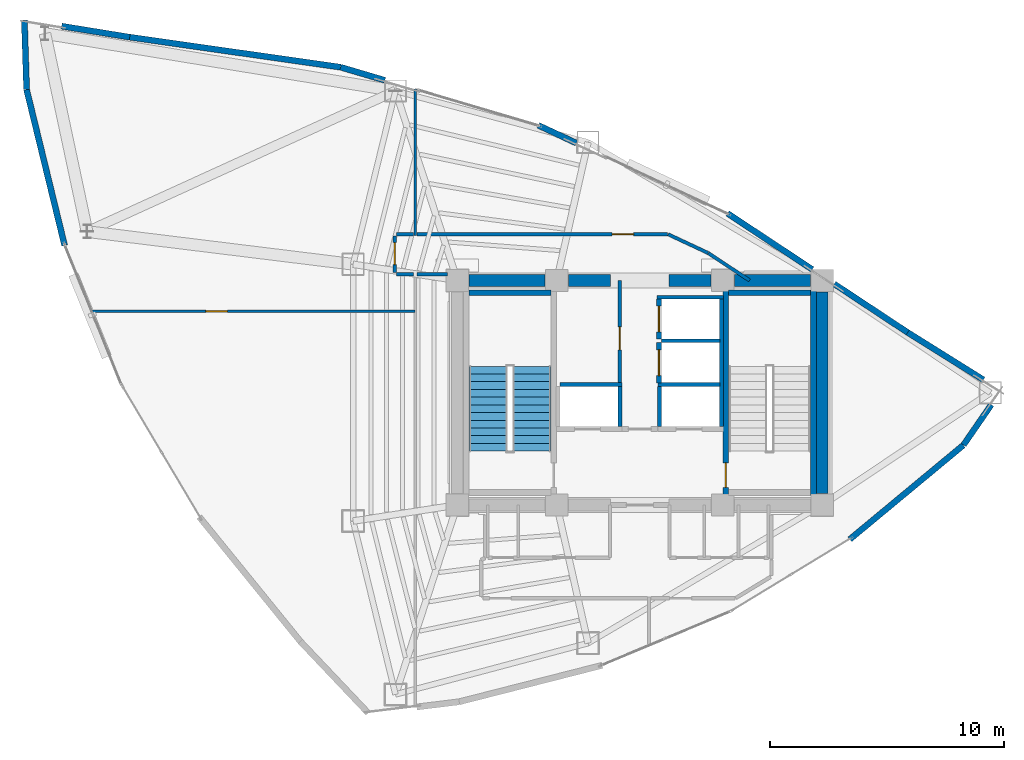
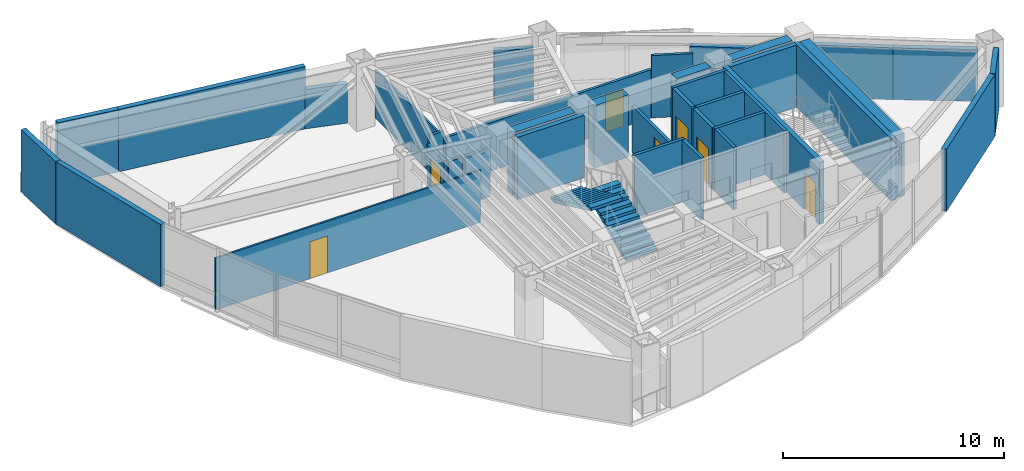
# One storey, part 13 of 16: 39 walls, 7 doors, 2 stair flights, 7 openings, 1 element without a shape of its own.
"""IFC4 building model written with IfcOpenShell, lengths in metres."""

from ifc_helpers import new_model, si_unit, direction, frame, frame_2d, origin, place, context, subcontext, project, spatial, polyline, rectangle, outline, extrude, material, layer, layer_set, type_object, element, fill, aggregate, save


model = new_model("IFC4")

# Units and contexts
model_context = context("Model", 3, precision=1e-05, world=origin(), true_north=direction((0.0, 1.0)))
body_context = subcontext(model_context, "Body", "Model", "MODEL_VIEW")
ifc_project = project(units=[si_unit("LENGTHUNIT", "METRE"), si_unit("AREAUNIT", "SQUARE_METRE"), si_unit("VOLUMEUNIT", "CUBIC_METRE"), si_unit("PLANEANGLEUNIT", "RADIAN"), si_unit("MASSUNIT", "GRAM", prefix="KILO")], contexts=[model_context])

# Site, building, storey
site_placement = place(None, origin())
site = spatial("IfcSite", under=ifc_project, at=site_placement, CompositionType="ELEMENT")
building_placement = place(site_placement, origin())
building = spatial("IfcBuilding", under=site, at=building_placement, Name="Menara Vayukalpa", CompositionType="ELEMENT")
storey_placement = place(building_placement, frame((0.0, 0.0, 202.679931640625)))
storey = spatial("IfcBuildingStorey", under=building, at=storey_placement, Name="L51", CompositionType="ELEMENT", Elevation=202.679931640625)

# Walls
ifc_material_1 = material(Name="Concrete C60/75", Category="concrete")
ifc_layer_1 = layer(ifc_material_1, 0.5)
ifc_layer_set_1 = layer_set([ifc_layer_1], Name="Concrete C60/75")
wall_type_1 = type_object("IfcWallType", Name="WAL-CW500", PredefinedType="SHEAR", material=ifc_layer_set_1)
wall_1_placement = place(storey_placement, frame((18.294921875, 26.800048828125, 0.0), z_axis=(0.0, 0.0, 1.0), x_axis=(1.0, 0.0, 0.0)))
element("IfcWall", 1, at=wall_1_placement, inside=storey, type_object=wall_type_1, Name="L51 Buttressed Core Shear Wall CWN1", PredefinedType="SHEAR", context=body_context, shape_type="SweptSolid", body=[
    extrude(rectangle(XDim=3.260009765625, YDim=0.5, at=frame_2d((1.6298828125, 0.0))), origin(), (0.0, 0.0, 1.0), 3.440185546875),
])
wall_2_placement = place(storey_placement, frame((22.544921875, 26.800048828125, 0.0), z_axis=(0.0, 0.0, 1.0), x_axis=(1.0, 0.0, 0.0)))
element("IfcWall", 2, at=wall_2_placement, inside=storey, type_object=wall_type_1, Name="L51 Buttressed Core Shear Wall CWN2", PredefinedType="SHEAR", context=body_context, shape_type="SweptSolid", body=[
    extrude(rectangle(XDim=1.80517578125, YDim=0.5, at=frame_2d((0.902587890625, 0.0))), origin(), (0.0, 0.0, 1.0), 3.440185546875),
])
wall_3_placement = place(storey_placement, frame((26.85009765625, 26.800048828125, 0.0), z_axis=(0.0, 0.0, 1.0), x_axis=(1.0, 0.0, 0.0)))
element("IfcWall", 3, at=wall_3_placement, inside=storey, type_object=wall_type_1, Name="L51 Buttressed Core Shear Wall CWN3", PredefinedType="SHEAR", context=body_context, shape_type="SweptSolid", body=[
    extrude(rectangle(XDim=1.804931640625, YDim=0.5, at=frame_2d((0.90234375, 0.0))), origin(), (0.0, 0.0, 1.0), 3.440185546875),
])
wall_4_placement = place(storey_placement, frame((29.64501953125, 26.800048828125, 0.0), z_axis=(0.0, 0.0, 1.0), x_axis=(1.0, 0.0, 0.0)))
element("IfcWall", 4, at=wall_4_placement, inside=storey, type_object=wall_type_1, Name="L51 Buttressed Core Shear Wall CWN4", PredefinedType="SHEAR", context=body_context, shape_type="SweptSolid", body=[
    extrude(rectangle(XDim=3.260009765625, YDim=0.5, at=frame_2d((1.6298828125, 0.0))), origin(), (0.0, 0.0, 1.0), 3.440185546875),
])
wall_5_placement = place(storey_placement, frame((33.39990234375, 17.695068359375, 0.0), z_axis=(0.0, 0.0, 1.0), x_axis=(0.0, 1.0, 0.0)))
element("IfcWall", 5, at=wall_5_placement, inside=storey, type_object=wall_type_1, Name="L51 Buttressed Core Shear Wall CWE1", PredefinedType="SHEAR", context=body_context, shape_type="SweptSolid", body=[
    extrude(rectangle(XDim=8.60986328125, YDim=0.5, at=frame_2d((4.304931640625, 0.0))), origin(), (0.0, 0.0, 1.0), 3.440185546875),
])
ifc_material_2 = material(Name="Insulated Precast Concrete C40/50", Category="concrete")
ifc_layer_2 = layer(ifc_material_2, 0.260009765625)
ifc_layer_set_2 = layer_set([ifc_layer_2], Name="Insulated Precast Concrete C40/50")
wall_type_2 = type_object("IfcWallType", Name="WAL-EXT260", PredefinedType="PARTITIONING", material=ifc_layer_set_2)
wall_6_placement = place(storey_placement, frame((40.629638671875, 21.484619140625, 0.0), z_axis=(0.0, 0.0, 1.0), x_axis=(-0.5675692026, -0.823325695129, 0.0)))
element("IfcWall", 6, at=wall_6_placement, inside=storey, type_object=wall_type_2, Name="L51 Perimeter Terracotta Pier Wall 01", PredefinedType="PARTITIONING", context=body_context, shape_type="SweptSolid", body=[
    extrude(rectangle(XDim=2.090576171875, YDim=0.260009765625, at=frame_2d((1.04541015625, 0.0))), origin(), (0.0, 0.0, 1.0), 3.440185546875),
])
wall_7_placement = place(storey_placement, frame((37.043212890625, 24.581298828125, 0.0), z_axis=(0.0, 0.0, 1.0), x_axis=(0.848238223581, -0.529614875221, 0.0)))
element("IfcWall", 7, at=wall_7_placement, inside=storey, type_object=wall_type_2, Name="L51 Perimeter Terracotta Pier Wall 02", PredefinedType="PARTITIONING", context=body_context, shape_type="SweptSolid", body=[
    extrude(rectangle(XDim=3.828857421875, YDim=0.260009765625, at=frame_2d((1.91455078125, 0.0))), origin(), (0.0, 0.0, 1.0), 2.8701171875),
])
wall_8_placement = place(storey_placement, frame((33.914306640625, 26.6494140625, 0.0), z_axis=(0.0, 0.0, 1.0), x_axis=(0.834259642914, -0.55137178764, 0.0)))
element("IfcWall", 8, at=wall_8_placement, inside=storey, type_object=wall_type_2, Name="L51 Perimeter Terracotta Pier Wall 03", PredefinedType="PARTITIONING", context=body_context, shape_type="SweptSolid", body=[
    extrude(rectangle(XDim=3.7626953125, YDim=0.260009765625, at=frame_2d((1.88134765625, 0.0))), origin(), (0.0, 0.0, 1.0), 2.8701171875),
])
wall_9_placement = place(storey_placement, frame((29.3505859375, 29.665771484375, 0.0), z_axis=(0.0, 0.0, 1.0), x_axis=(0.834275733291, -0.551347441131, 0.0)))
element("IfcWall", 9, at=wall_9_placement, inside=storey, type_object=wall_type_2, Name="L51 Perimeter Terracotta Pier Wall 04", PredefinedType="PARTITIONING", context=body_context, shape_type="SweptSolid", body=[
    extrude(rectangle(XDim=4.34130859375, YDim=0.260009765625, at=frame_2d((2.170654296875, 0.0))), origin(), (0.0, 0.0, 1.0), 2.570068359375),
])
wall_10_placement = place(storey_placement, frame((21.263671875, 33.431396484375, 0.0), z_axis=(0.0, 0.0, 1.0), x_axis=(0.905741333912, -0.423830905011, 0.0)))
element("IfcWall", 10, at=wall_10_placement, inside=storey, type_object=wall_type_2, Name="L51 Perimeter Terracotta Pier Wall 06", PredefinedType="PARTITIONING", context=body_context, shape_type="SweptSolid", body=[
    extrude(rectangle(XDim=1.794921875, YDim=0.260009765625, at=frame_2d((0.8974609375, 0.0))), origin(), (0.0, 0.0, 1.0), 2.8701171875),
])
wall_11_placement = place(storey_placement, frame((12.810546875, 35.9169921875, 0.0), z_axis=(0.0, 0.0, 1.0), x_axis=(0.958874384412, -0.283830785713, 0.0)))
element("IfcWall", 11, at=wall_11_placement, inside=storey, type_object=wall_type_2, Name="L51 Perimeter Terracotta Pier Wall 08", PredefinedType="PARTITIONING", context=body_context, shape_type="SweptSolid", body=[
    extrude(rectangle(XDim=1.968994140625, YDim=0.260009765625, at=frame_2d((0.984375, 0.0))), origin(), (0.0, 0.0, 1.0), 2.170166015625),
])
wall_12_placement = place(storey_placement, frame((3.778564453125, 37.20263671875, 0.0), z_axis=(0.0, 0.0, 1.0), x_axis=(0.990020552325, -0.140923049832, 0.0)))
element("IfcWall", 12, at=wall_12_placement, inside=storey, type_object=wall_type_2, Name="L51 Perimeter Terracotta Pier Wall 09", PredefinedType="PARTITIONING", context=body_context, shape_type="SweptSolid", body=[
    extrude(rectangle(XDim=9.123046875, YDim=0.260009765625, at=frame_2d((4.5615234375, 0.0))), origin(), (0.0, 0.0, 1.0), 3.440185546875),
])
wall_13_placement = place(storey_placement, frame((0.87939453125, 37.67236328125, 0.0), z_axis=(0.0, 0.0, 1.0), x_axis=(0.987124562888, -0.159953422419, 0.0)))
element("IfcWall", 13, at=wall_13_placement, inside=storey, type_object=wall_type_2, Name="L51 Perimeter Terracotta Pier Wall 10", PredefinedType="PARTITIONING", context=body_context, shape_type="SweptSolid", body=[
    extrude(rectangle(XDim=2.948974609375, YDim=0.260009765625, at=frame_2d((1.474609375, 0.0))), origin(), (0.0, 0.0, 1.0), 3.440185546875),
])
wall_14_placement = place(storey_placement, frame((-0.6181640625, 34.962158203125, 0.0), z_axis=(0.0, 0.0, 1.0), x_axis=(-0.031896905061, 0.999491164267, 0.0)))
element("IfcWall", 14, at=wall_14_placement, inside=storey, type_object=wall_type_2, Name="L51 Perimeter Terracotta Pier Wall 11", PredefinedType="PARTITIONING", context=body_context, shape_type="SweptSolid", body=[
    extrude(rectangle(XDim=2.9697265625, YDim=0.260009765625, at=frame_2d((1.48486328125, 0.0))), origin(), (0.0, 0.0, 1.0), 3.440185546875),
])
wall_15_placement = place(storey_placement, frame((1.007080078125, 28.293701171875, 0.0), z_axis=(0.0, 0.0, 1.0), x_axis=(-0.236844738969, 0.971547512797, 0.0)))
element("IfcWall", 15, at=wall_15_placement, inside=storey, type_object=wall_type_2, Name="L51 Perimeter Terracotta Pier Wall 12", PredefinedType="PARTITIONING", context=body_context, shape_type="SweptSolid", body=[
    extrude(rectangle(XDim=6.85888671875, YDim=0.260009765625, at=frame_2d((3.429443359375, 0.0))), origin(), (0.0, 0.0, 1.0), 3.440185546875),
])
wall_16_placement = place(storey_placement, frame((39.43408203125, 19.753662109375, 0.0), z_axis=(0.0, 0.0, 1.0), x_axis=(-0.76976213846, -0.638330831304, 0.0)))
element("IfcWall", 16, at=wall_16_placement, inside=storey, type_object=wall_type_2, Name="L51 Perimeter Terracotta Pier Wall 21", PredefinedType="PARTITIONING", context=body_context, shape_type="SweptSolid", body=[
    extrude(rectangle(XDim=6.302734375, YDim=0.260009765625, at=frame_2d((3.1513671875, 0.0))), origin(), (0.0, 0.0, 1.0), 3.440185546875),
])
ifc_material_3 = material(Name="Lightweight Concrete Blockwork C16/20", Category="masonry")
ifc_layer_3 = layer(ifc_material_3, 0.159912109375)
ifc_layer_set_3 = layer_set([ifc_layer_3], Name="Lightweight Concrete Blockwork C16/20")
wall_type_3 = type_object("IfcWallType", Name="WAL-FR150", PredefinedType="PARTITIONING", material=ifc_layer_set_3)
wall_17_placement = place(storey_placement, frame((24.7548828125, 20.56005859375, 0.0), z_axis=(0.0, 0.0, 1.0), x_axis=(0.0, 1.0, 0.0)))
element("IfcWall", 17, at=wall_17_placement, inside=storey, type_object=wall_type_3, Name="L51 Interior Partition IW-L51-SHW-W1E", PredefinedType="PARTITIONING", context=body_context, shape_type="SweptSolid", body=[
    extrude(rectangle(XDim=1.7099609375, YDim=0.159912109375, at=frame_2d((0.85498046875, 0.0))), origin(), (0.0, 0.0, 1.0), 3.440185546875),
])
wall_18_placement = place(storey_placement, frame((22.179931640625, 22.344970703125, 0.0), z_axis=(0.0, 0.0, 1.0), x_axis=(1.0, 0.0, 0.0)))
element("IfcWall", 18, at=wall_18_placement, inside=storey, type_object=wall_type_3, Name="L51 Interior Partition IW-L51-SHM-W12", PredefinedType="PARTITIONING", context=body_context, shape_type="SweptSolid", body=[
    extrude(rectangle(XDim=2.650146484375, YDim=0.159912109375, at=frame_2d((1.3251953125, 0.0))), origin(), (0.0, 0.0, 1.0), 3.440185546875),
])
wall_19_placement = place(storey_placement, frame((29.094970703125, 20.56005859375, 0.0), z_axis=(0.0, 0.0, 1.0), x_axis=(0.0, 1.0, 0.0)))
element("IfcWall", 19, at=wall_19_placement, inside=storey, type_object=wall_type_3, Name="L51 Interior Partition IW-L51-SHW-EE", PredefinedType="PARTITIONING", context=body_context, shape_type="SweptSolid", body=[
    extrude(rectangle(XDim=5.449951171875, YDim=0.159912109375, at=frame_2d((2.72509765625, 0.0))), origin(), (0.0, 0.0, 1.0), 3.440185546875),
])
wall_20_placement = place(storey_placement, frame((26.445068359375, 20.56005859375, 0.0), z_axis=(0.0, 0.0, 1.0), x_axis=(0.0, 1.0, 0.0)))
element("IfcWall", 20, at=wall_20_placement, inside=storey, type_object=wall_type_3, Name="L51 Interior Partition IW-L51-SHW-E1W", PredefinedType="PARTITIONING", context=body_context, shape_type="SweptSolid", body=[
    extrude(rectangle(XDim=1.7099609375, YDim=0.159912109375, at=frame_2d((0.85498046875, 0.0))), origin(), (0.0, 0.0, 1.0), 3.440185546875),
])
wall_21_placement = place(storey_placement, frame((26.3701171875, 22.344970703125, 0.0), z_axis=(0.0, 0.0, 1.0), x_axis=(1.0, 0.0, 0.0)))
element("IfcWall", 21, at=wall_21_placement, inside=storey, type_object=wall_type_3, Name="L51 Interior Partition IW-L51-SHM-E13", PredefinedType="PARTITIONING", context=body_context, shape_type="SweptSolid", body=[
    extrude(rectangle(XDim=2.64990234375, YDim=0.159912109375, at=frame_2d((1.324951171875, 0.0))), origin(), (0.0, 0.0, 1.0), 3.440185546875),
])
wall_22_placement = place(storey_placement, frame((26.530029296875, 24.215087890625, 0.0), z_axis=(0.0, 0.0, 1.0), x_axis=(1.0, 0.0, 0.0)))
element("IfcWall", 22, at=wall_22_placement, inside=storey, type_object=wall_type_3, Name="L51 Interior Partition IW-L51-SHM-E32", PredefinedType="PARTITIONING", context=body_context, shape_type="SweptSolid", body=[
    extrude(rectangle(XDim=2.489990234375, YDim=0.159912109375, at=frame_2d((1.2451171875, 0.0))), origin(), (0.0, 0.0, 1.0), 3.440185546875),
])
wall_23_placement = place(storey_placement, frame((26.340087890625, 26.0849609375, 0.0), z_axis=(0.0, 0.0, 1.0), x_axis=(1.0, 0.0, 0.0)))
element("IfcWall", 23, at=wall_23_placement, inside=storey, type_object=wall_type_3, Name="L51 Interior Partition IW-L51-SHM-E2N", PredefinedType="PARTITIONING", context=body_context, shape_type="SweptSolid", body=[
    extrude(rectangle(XDim=2.829833984375, YDim=0.159912109375, at=frame_2d((1.4150390625, 0.0))), origin(), (0.0, 0.0, 1.0), 3.440185546875),
])

# Wall, opening, door
wall_24_placement = place(storey_placement, frame((24.739990234375, 22.429931640625, 0.0), z_axis=(0.0, 0.0, 1.0), x_axis=(0.0, 1.0, 0.0)))
wall_24 = element("IfcWall", 24, at=wall_24_placement, inside=storey, type_object=wall_type_3, Name="L51 Interior Partition IW-L51-LV7W", PredefinedType="PARTITIONING", context=body_context, shape_type="SweptSolid", body=[
    extrude(rectangle(XDim=4.3701171875, YDim=0.159912109375, at=frame_2d((2.18505859375, 0.0))), origin(), (0.0, 0.0, 1.0), 2.570068359375),
])
opening_1_placement = place(wall_24_placement, frame((1.39990234375, 0.0, 0.0)))
opening_1 = element("IfcOpeningElement", 25, at=opening_1_placement, cuts=wall_24, Name="Opening ID3", PredefinedType="OPENING", context=body_context, shape_type="SweptSolid", body=[
    extrude(rectangle(XDim=0.97998046875, YDim=2.06005859375, at=frame_2d((0.489990234375, 1.030029296875))), frame((0.0, 0.08984375, 0.0), z_axis=(0.0, -1.0, 0.0), x_axis=(1.0, 0.0, 0.0)), (0.0, 0.0, 1.0), 0.179931640625),
])
ifc_material_4 = material(Name="Fire-Rated Powder-Coated Steel Door", Category="steel")
door_type_1 = type_object("IfcDoorType", Name="DR-FD60", OperationType="NOTDEFINED", PredefinedType="DOOR", material=ifc_material_4)
door_1_placement = place(opening_1_placement, origin())
door_1 = element("IfcDoor", 26, at=door_1_placement, inside=storey, type_object=door_type_1, Name="L51 Interior Door DR-L51-LV7W", OperationType="SINGLE_SWING_RIGHT", OverallHeight=2.06005859375, OverallWidth=0.97998046875, PredefinedType="DOOR", context=body_context, shape_type="SweptSolid", body=[
    extrude(rectangle(XDim=0.97998046875, YDim=2.06005859375, at=frame_2d((0.489990234375, 1.030029296875))), frame((0.0, 0.02490234375, 0.0), z_axis=(0.0, -1.0, 0.0), x_axis=(1.0, 0.0, 0.0)), (0.0, 0.0, 1.0), 0.050048828125),
])
fill(opening_1, door_1)

ifc_material_5 = material(Name="Lightweight Concrete Blockwork C16/20", Category="masonry")
ifc_layer_4 = layer(ifc_material_5, 0.199951171875)
ifc_layer_set_4 = layer_set([ifc_layer_4], Name="Lightweight Concrete Blockwork C16/20")
wall_type_4 = type_object("IfcWallType", Name="WAL-FR200", PredefinedType="PARTITIONING", material=ifc_layer_set_4)
wall_25_placement = place(storey_placement, frame((26.419921875, 22.419921875, 0.0), z_axis=(0.0, 0.0, 1.0), x_axis=(0.0, 1.0, 0.0)))
wall_25 = element("IfcWall", 27, at=wall_25_placement, inside=storey, type_object=wall_type_4, Name="L51 Interior Partition IW-L51-SH-E3", PredefinedType="PARTITIONING", context=body_context, shape_type="SweptSolid", body=[
    extrude(rectangle(XDim=1.719970703125, YDim=0.199951171875, at=frame_2d((0.85986328125, 0.0))), origin(), (0.0, 0.0, 1.0), 3.440185546875),
])
opening_2_placement = place(wall_25_placement, frame((0.31005859375, 0.0, 0.0)))
opening_2 = element("IfcOpeningElement", 28, at=opening_2_placement, cuts=wall_25, Name="Opening LD1", PredefinedType="OPENING", context=body_context, shape_type="SweptSolid", body=[
    extrude(rectangle(XDim=1.10009765625, YDim=2.080078125, at=frame_2d((0.550048828125, 1.0400390625))), frame((0.0, 0.10986328125, 0.0), z_axis=(0.0, -1.0, 0.0), x_axis=(1.0, 0.0, 0.0)), (0.0, 0.0, 1.0), 0.219970703125),
])
ifc_material_6 = material(Name="Brushed Stainless Steel 316 Lift Door", Category="steel")
door_type_2 = type_object("IfcDoorType", Name="DR-LD110", OperationType="NOTDEFINED", PredefinedType="DOOR", material=ifc_material_6)
door_2_placement = place(opening_2_placement, origin())
door_2 = element("IfcDoor", 29, at=door_2_placement, inside=storey, type_object=door_type_2, Name="L51 Interior Door DR-L51-LD-E3", OperationType="DOUBLE_DOOR_SLIDING", OverallHeight=2.080078125, OverallWidth=1.10009765625, PredefinedType="DOOR", context=body_context, shape_type="SweptSolid", body=[
    extrude(rectangle(XDim=1.10009765625, YDim=2.080078125, at=frame_2d((0.550048828125, 1.0400390625))), frame((0.0, 0.02490234375, 0.0), z_axis=(0.0, -1.0, 0.0), x_axis=(1.0, 0.0, 0.0)), (0.0, 0.0, 1.0), 0.050048828125),
])
fill(opening_2, door_2)

wall_26_placement = place(storey_placement, frame((26.419921875, 24.2900390625, 0.0), z_axis=(0.0, 0.0, 1.0), x_axis=(0.0, 1.0, 0.0)))
wall_26 = element("IfcWall", 30, at=wall_26_placement, inside=storey, type_object=wall_type_4, Name="L51 Interior Partition IW-L51-SH-E2", PredefinedType="PARTITIONING", context=body_context, shape_type="SweptSolid", body=[
    extrude(rectangle(XDim=1.719970703125, YDim=0.199951171875, at=frame_2d((0.85986328125, 0.0))), origin(), (0.0, 0.0, 1.0), 3.440185546875),
])
opening_3_placement = place(wall_26_placement, frame((0.31005859375, 0.0, 0.0)))
opening_3 = element("IfcOpeningElement", 31, at=opening_3_placement, cuts=wall_26, Name="Opening LD1", PredefinedType="OPENING", context=body_context, shape_type="SweptSolid", body=[
    extrude(rectangle(XDim=1.10009765625, YDim=2.080078125, at=frame_2d((0.550048828125, 1.0400390625))), frame((0.0, 0.10986328125, 0.0), z_axis=(0.0, -1.0, 0.0), x_axis=(1.0, 0.0, 0.0)), (0.0, 0.0, 1.0), 0.219970703125),
])
door_3_placement = place(opening_3_placement, origin())
door_3 = element("IfcDoor", 32, at=door_3_placement, inside=storey, type_object=door_type_2, Name="L51 Interior Door DR-L51-LD-E2", OperationType="DOUBLE_DOOR_SLIDING", OverallHeight=2.080078125, OverallWidth=1.10009765625, PredefinedType="DOOR", context=body_context, shape_type="SweptSolid", body=[
    extrude(rectangle(XDim=1.10009765625, YDim=2.080078125, at=frame_2d((0.550048828125, 1.0400390625))), frame((0.0, 0.02490234375, 0.0), z_axis=(0.0, -1.0, 0.0), x_axis=(1.0, 0.0, 0.0)), (0.0, 0.0, 1.0), 0.050048828125),
])
fill(opening_3, door_3)

# Wall
ifc_material_7 = material(Name="Glazed Demountable Office Partition", Category="glass")
ifc_layer_5 = layer(ifc_material_7, 0.094970703125)
ifc_layer_set_5 = layer_set([ifc_layer_5], Name="Glazed Demountable Office Partition")
wall_type_5 = type_object("IfcWallType", Name="WAL-PT100", PredefinedType="PARTITIONING", material=ifc_layer_set_5)
wall_27_placement = place(storey_placement, frame((16.0, 28.72998046875, 0.0), z_axis=(0.0, 0.0, 1.0), x_axis=(0.0, 1.0, 0.0)))
element("IfcWall", 33, at=wall_27_placement, inside=storey, type_object=wall_type_5, Name="L51 Interior Partition IW-L51-RDIV02", PredefinedType="PARTITIONING", context=body_context, shape_type="SweptSolid", body=[
    extrude(rectangle(XDim=6.253173828125, YDim=0.094970703125, at=frame_2d((3.12646484375, 0.0))), origin(), (0.0, 0.0, 1.0), 2.670166015625),
])

# Wall, opening, door
wall_28_placement = place(storey_placement, frame((2.123291015625, 25.4794921875, 0.0), z_axis=(0.0, 0.0, 1.0), x_axis=(1.0, 0.0, 0.0)))
wall_28 = element("IfcWall", 34, at=wall_28_placement, inside=storey, type_object=wall_type_5, Name="L51 Interior Partition IW-L51-RDIV04", PredefinedType="PARTITIONING", context=body_context, shape_type="SweptSolid", body=[
    extrude(rectangle(XDim=13.86669921875, YDim=0.094970703125, at=frame_2d((6.933349609375, 0.0))), origin(), (0.0, 0.0, 1.0), 2.8701171875),
])
opening_4_placement = place(wall_28_placement, frame((4.925048828125, 0.0, 0.0)))
opening_4 = element("IfcOpeningElement", 35, at=opening_4_placement, cuts=wall_28, Name="Opening ID6", PredefinedType="OPENING", context=body_context, shape_type="SweptSolid", body=[
    extrude(rectangle(XDim=0.919921875, YDim=2.050048828125, at=frame_2d((0.4599609375, 1.02490234375))), frame((0.0, 0.057373046875, 0.0), z_axis=(0.0, -1.0, 0.0), x_axis=(1.0, 0.0, 0.0)), (0.0, 0.0, 1.0), 0.114990234375),
])
ifc_material_8 = material(Name="Acoustic Hardwood Veneer Timber Door", Category="wood")
door_type_3 = type_object("IfcDoorType", Name="DR-INT92", OperationType="NOTDEFINED", PredefinedType="DOOR", material=ifc_material_8)
door_4_placement = place(opening_4_placement, origin())
door_4 = element("IfcDoor", 36, at=door_4_placement, inside=storey, type_object=door_type_3, Name="L51 Interior Door DR-L51-STE01", OperationType="SINGLE_SWING_RIGHT", OverallHeight=2.050048828125, OverallWidth=0.919921875, PredefinedType="DOOR", context=body_context, shape_type="SweptSolid", body=[
    extrude(rectangle(XDim=0.919921875, YDim=2.050048828125, at=frame_2d((0.4599609375, 1.02490234375))), frame((0.0, 0.02490234375, 0.0), z_axis=(0.0, -1.0, 0.0), x_axis=(1.0, 0.0, 0.0)), (0.0, 0.0, 1.0), 0.050048828125),
])
fill(opening_4, door_4)

# Walls
ifc_material_9 = material(Name="Gypsum Drywall Acoustic Stud Assembly", Category="masonry")
ifc_layer_6 = layer(ifc_material_9, 0.14501953125)
ifc_layer_set_6 = layer_set([ifc_layer_6], Name="Gypsum Drywall Acoustic Stud Assembly")
wall_type_6 = type_object("IfcWallType", Name="WAL-PT150", PredefinedType="PARTITIONING", material=ifc_layer_set_6)
wall_29_placement = place(storey_placement, frame((16.070068359375, 27.06005859375, 0.0), z_axis=(0.0, 0.0, 1.0), x_axis=(1.0, 0.0, 0.0)))
element("IfcWall", 37, at=wall_29_placement, inside=storey, type_object=wall_type_6, Name="L51 Interior Partition IW-L51-CRM02-1", PredefinedType="PARTITIONING", context=body_context, shape_type="SweptSolid", body=[
    extrude(rectangle(XDim=1.309814453125, YDim=0.14501953125, at=frame_2d((0.65478515625, 0.0))), origin(), (0.0, 0.0, 1.0), 2.670166015625),
])
wall_30_placement = place(storey_placement, frame((30.295166015625, 26.800048828125, 0.0), z_axis=(0.0, 0.0, 1.0), x_axis=(-0.834281274053, 0.551339056992, 0.0)))
element("IfcWall", 38, at=wall_30_placement, inside=storey, type_object=wall_type_6, Name="L51 Interior Partition IW-L51-CRM04-1", PredefinedType="PARTITIONING", context=body_context, shape_type="SweptSolid", body=[
    extrude(rectangle(XDim=2.114990234375, YDim=0.14501953125, at=frame_2d((1.0576171875, 0.0))), origin(), (0.0, 0.0, 1.0), 2.570068359375),
])
wall_31_placement = place(storey_placement, frame((28.5205078125, 27.971923828125, 0.0), z_axis=(0.0, 0.0, 1.0), x_axis=(-0.905803144329, 0.423698788909, 0.0)))
element("IfcWall", 39, at=wall_31_placement, inside=storey, type_object=wall_type_6, Name="L51 Interior Partition IW-L51-CRM04-2", PredefinedType="PARTITIONING", context=body_context, shape_type="SweptSolid", body=[
    extrude(rectangle(XDim=1.889404296875, YDim=0.14501953125, at=frame_2d((0.94482421875, 0.0))), origin(), (0.0, 0.0, 1.0), 3.440185546875),
])

# Wall, opening, door
wall_32_placement = place(storey_placement, frame((26.775390625, 28.780029296875, 0.0), z_axis=(0.0, 0.0, 1.0), x_axis=(-1.0, 0.0, 0.0)))
wall_32 = element("IfcWall", 40, at=wall_32_placement, inside=storey, type_object=wall_type_6, Name="L51 Interior Partition IW-L51-CRM04-3", PredefinedType="PARTITIONING", context=body_context, shape_type="SweptSolid", body=[
    extrude(rectangle(XDim=10.705322265625, YDim=0.14501953125, at=frame_2d((5.3525390625, 0.0))), origin(), (0.0, 0.0, 1.0), 2.670166015625),
])
opening_5_placement = place(wall_32_placement, frame((1.43310546875, 0.0, 0.0)))
opening_5 = element("IfcOpeningElement", 41, at=opening_5_placement, cuts=wall_32, Name="Opening ID6", PredefinedType="OPENING", context=body_context, shape_type="SweptSolid", body=[
    extrude(rectangle(XDim=0.919921875, YDim=2.050048828125, at=frame_2d((0.4599609375, 1.02490234375))), frame((0.0, 0.08251953125, 0.0), z_axis=(0.0, -1.0, 0.0), x_axis=(1.0, 0.0, 0.0)), (0.0, 0.0, 1.0), 0.1650390625),
])
door_5_placement = place(opening_5_placement, origin())
door_5 = element("IfcDoor", 42, at=door_5_placement, inside=storey, type_object=door_type_3, Name="L51 Interior Door DR-L51-RM04", OperationType="SINGLE_SWING_RIGHT", OverallHeight=2.050048828125, OverallWidth=0.919921875, PredefinedType="DOOR", context=body_context, shape_type="SweptSolid", body=[
    extrude(rectangle(XDim=0.919921875, YDim=2.050048828125, at=frame_2d((0.4599609375, 1.02490234375))), frame((0.0, 0.02490234375, 0.0), z_axis=(0.0, -1.0, 0.0), x_axis=(1.0, 0.0, 0.0)), (0.0, 0.0, 1.0), 0.050048828125),
])
fill(opening_5, door_5)

# Wall
wall_33_placement = place(storey_placement, frame((15.929931640625, 28.780029296875, 0.0), z_axis=(0.0, 0.0, 1.0), x_axis=(-1.0, 0.0, 0.0)))
element("IfcWall", 43, at=wall_33_placement, inside=storey, type_object=wall_type_6, Name="L51 Interior Partition IW-L51-CRM05-1", PredefinedType="PARTITIONING", context=body_context, shape_type="SweptSolid", body=[
    extrude(rectangle(XDim=0.72998046875, YDim=0.14501953125, at=frame_2d((0.364990234375, 0.0))), origin(), (0.0, 0.0, 1.0), 3.070068359375),
])

# Wall, opening, door
wall_34_placement = place(storey_placement, frame((15.1201171875, 28.699951171875, 0.0), z_axis=(0.0, 0.0, 1.0), x_axis=(0.0, -1.0, 0.0)))
wall_34 = element("IfcWall", 44, at=wall_34_placement, inside=storey, type_object=wall_type_6, Name="L51 Interior Partition IW-L51-CRM05-2", PredefinedType="PARTITIONING", context=body_context, shape_type="SweptSolid", body=[
    extrude(rectangle(XDim=1.56005859375, YDim=0.14501953125, at=frame_2d((0.780029296875, 0.0))), origin(), (0.0, 0.0, 1.0), 2.670166015625),
])
opening_6_placement = place(wall_34_placement, frame((0.280029296875, 0.0, 0.0)))
opening_6 = element("IfcOpeningElement", 45, at=opening_6_placement, cuts=wall_34, Name="Opening ID5", PredefinedType="OPENING", context=body_context, shape_type="SweptSolid", body=[
    extrude(rectangle(XDim=0.949951171875, YDim=2.06005859375, at=frame_2d((0.47509765625, 1.030029296875))), frame((0.0, 0.08251953125, 0.0), z_axis=(0.0, -1.0, 0.0), x_axis=(1.0, 0.0, 0.0)), (0.0, 0.0, 1.0), 0.1650390625),
])
ifc_material_10 = material(Name="Acoustic Hardwood Veneer Timber Door", Category="wood")
door_type_4 = type_object("IfcDoorType", Name="DR-INT95", OperationType="NOTDEFINED", PredefinedType="DOOR", material=ifc_material_10)
door_6_placement = place(opening_6_placement, origin())
door_6 = element("IfcDoor", 46, at=door_6_placement, inside=storey, type_object=door_type_4, Name="L51 Interior Door DR-L51-RM05", OperationType="SINGLE_SWING_LEFT", OverallHeight=2.06005859375, OverallWidth=0.949951171875, PredefinedType="DOOR", context=body_context, shape_type="SweptSolid", body=[
    extrude(rectangle(XDim=0.949951171875, YDim=2.06005859375, at=frame_2d((0.47509765625, 1.030029296875))), frame((0.0, 0.02490234375, 0.0), z_axis=(0.0, -1.0, 0.0), x_axis=(1.0, 0.0, 0.0)), (0.0, 0.0, 1.0), 0.050048828125),
])
fill(opening_6, door_6)

# Walls
wall_35_placement = place(storey_placement, frame((15.199951171875, 27.06005859375, 0.0), z_axis=(0.0, 0.0, 1.0), x_axis=(1.0, 0.0, 0.0)))
element("IfcWall", 47, at=wall_35_placement, inside=storey, type_object=wall_type_6, Name="L51 Interior Partition IW-L51-CRM05-3", PredefinedType="PARTITIONING", context=body_context, shape_type="SweptSolid", body=[
    extrude(rectangle(XDim=0.72998046875, YDim=0.14501953125, at=frame_2d((0.364990234375, 0.0))), origin(), (0.0, 0.0, 1.0), 2.670166015625),
])
ifc_material_11 = material(Name="Concrete C50/60", Category="concrete")
ifc_layer_7 = layer(ifc_material_11, 0.25)
ifc_layer_set_7 = layer_set([ifc_layer_7], Name="Concrete C50/60")
wall_type_7 = type_object("IfcWallType", Name="WAL-SW250", PredefinedType="SHEAR", material=ifc_layer_set_7)
wall_36_placement = place(storey_placement, frame((18.303955078125, 26.27490234375, 0.0), z_axis=(0.0, 0.0, 1.0), x_axis=(1.0, 0.0, 0.0)))
element("IfcWall", 48, at=wall_36_placement, inside=storey, type_object=wall_type_7, Name="L51 ST1 Structural Stair Shaft Wall N", PredefinedType="SHEAR", context=body_context, shape_type="SweptSolid", body=[
    extrude(rectangle(XDim=3.49609375, YDim=0.25, at=frame_2d((1.748046875, 0.0))), origin(), (0.0, 0.0, 1.0), 3.440185546875),
])

# Wall, opening, door
wall_37_placement = place(storey_placement, frame((29.27490234375, 17.60009765625, 0.0), z_axis=(0.0, 0.0, 1.0), x_axis=(0.0, 1.0, 0.0)))
wall_37 = element("IfcWall", 49, at=wall_37_placement, inside=storey, type_object=wall_type_7, Name="L51 ST2 Structural Stair Shaft Wall W", PredefinedType="SHEAR", context=body_context, shape_type="SweptSolid", body=[
    extrude(rectangle(XDim=8.7998046875, YDim=0.25, at=frame_2d((4.39990234375, 0.0))), origin(), (0.0, 0.0, 1.0), 3.440185546875),
])
opening_7_placement = place(wall_37_placement, frame((0.35009765625, 0.0, 0.0)))
opening_7 = element("IfcOpeningElement", 50, at=opening_7_placement, cuts=wall_37, Name="Opening ID1", PredefinedType="OPENING", context=body_context, shape_type="SweptSolid", body=[
    extrude(rectangle(XDim=1.050048828125, YDim=2.080078125, at=frame_2d((0.52490234375, 1.0400390625))), frame((0.0, 0.135009765625, 0.0), z_axis=(0.0, -1.0, 0.0), x_axis=(1.0, 0.0, 0.0)), (0.0, 0.0, 1.0), 0.27001953125),
])
ifc_material_12 = material(Name="Fire-Rated Powder-Coated Steel Door", Category="steel")
door_type_5 = type_object("IfcDoorType", Name="DR-FD120", OperationType="NOTDEFINED", PredefinedType="DOOR", material=ifc_material_12)
door_7_placement = place(opening_7_placement, origin())
door_7 = element("IfcDoor", 51, at=door_7_placement, inside=storey, type_object=door_type_5, Name="L51 Stair Exit Door DR-L51-ST2", OperationType="SINGLE_SWING_RIGHT", OverallHeight=2.080078125, OverallWidth=1.050048828125, PredefinedType="DOOR", context=body_context, shape_type="SweptSolid", body=[
    extrude(rectangle(XDim=1.050048828125, YDim=2.080078125, at=frame_2d((0.52490234375, 1.0400390625))), frame((0.0, 0.02490234375, 0.0), z_axis=(0.0, -1.0, 0.0), x_axis=(1.0, 0.0, 0.0)), (0.0, 0.0, 1.0), 0.050048828125),
])
fill(opening_7, door_7)

# Walls
wall_38_placement = place(storey_placement, frame((33.02099609375, 17.60009765625, 0.0), z_axis=(0.0, 0.0, 1.0), x_axis=(0.0, 1.0, 0.0)))
element("IfcWall", 52, at=wall_38_placement, inside=storey, type_object=wall_type_7, Name="L51 ST2 Structural Stair Shaft Wall E", PredefinedType="SHEAR", context=body_context, shape_type="SweptSolid", body=[
    extrude(rectangle(XDim=8.7998046875, YDim=0.25, at=frame_2d((4.39990234375, 0.0))), origin(), (0.0, 0.0, 1.0), 3.440185546875),
])
wall_39_placement = place(storey_placement, frame((29.39990234375, 26.27490234375, 0.0), z_axis=(0.0, 0.0, 1.0), x_axis=(1.0, 0.0, 0.0)))
element("IfcWall", 53, at=wall_39_placement, inside=storey, type_object=wall_type_7, Name="L51 ST2 Structural Stair Shaft Wall N", PredefinedType="SHEAR", context=body_context, shape_type="SweptSolid", body=[
    extrude(rectangle(XDim=3.49609375, YDim=0.25, at=frame_2d((1.748046875, 0.0))), origin(), (0.0, 0.0, 1.0), 3.440185546875),
])

# Stair, stair flights
ifc_material_13 = material(Name="Precast Concrete C40/50", Category="concrete")
stair_type = type_object("IfcStairType", Name="STR-T04", PredefinedType="DOUBLE_RETURN_STAIR", material=ifc_material_13)
stair_placement = place(storey_placement, origin())
stair = element("IfcStair", 54, at=stair_placement, inside=storey, type_object=stair_type, Name="L51 Core Exit Stair ST-1", PredefinedType="DOUBLE_RETURN_STAIR")
ifc_material_14 = material(Name="Precast Concrete C40/50", Category="concrete")
stair_flight_type = type_object("IfcStairFlightType", Name="STF-T04", PredefinedType="STRAIGHT", material=ifc_material_14)
stair_flight_1_placement = place(storey_placement, frame((20.97509765625, 19.5, 0.0), z_axis=(0.0, 0.0, 1.0), x_axis=(0.0, 1.0, 0.0)))
stair_flight_1 = element("IfcStairFlight", 55, at=stair_flight_1_placement, type_object=stair_flight_type, Name="ST-1 flight 1", NumberOfRisers=12, NumberOfTreads=11, PredefinedType="STRAIGHT", RiserHeight=0.155, TreadLength=0.33, context=body_context, shape_type="SweptSolid", body=[
    extrude(outline(polyline([(0.0, 0.0), (0.0, 0.155029296875), (0.330078125, 0.155029296875), (0.330078125, 0.31005859375), (0.659912109375, 0.31005859375), (0.659912109375, 0.465087890625), (0.989990234375, 0.465087890625), (0.989990234375, 0.6201171875), (1.320068359375, 0.6201171875), (1.320068359375, 0.77490234375), (1.64990234375, 0.77490234375), (1.64990234375, 0.929931640625), (1.97998046875, 0.929931640625), (1.97998046875, 1.0849609375), (2.31005859375, 1.0849609375), (2.31005859375, 1.239990234375), (2.639892578125, 1.239990234375), (2.639892578125, 1.39501953125), (2.969970703125, 1.39501953125), (2.969970703125, 1.550048828125), (3.300048828125, 1.550048828125), (3.300048828125, 1.705078125), (3.6298828125, 1.705078125), (3.6298828125, 1.860107421875), (3.6298828125, 1.539306640625), (0.3525390625, 0.0), (0.0, 0.0)])), frame((0.0, 0.824951171875, 0.0), z_axis=(0.0, -1.0, 0.0), x_axis=(1.0, 0.0, 0.0)), (0.0, 0.0, 1.0), 1.64990234375),
])
stair_flight_2_placement = place(storey_placement, frame((19.125, 23.1298828125, 1.860107421875), z_axis=(0.0, 0.0, 1.0), x_axis=(0.0, -1.0, 0.0)))
stair_flight_2 = element("IfcStairFlight", 56, at=stair_flight_2_placement, type_object=stair_flight_type, Name="ST-1 flight 2", NumberOfRisers=12, NumberOfTreads=11, PredefinedType="STRAIGHT", RiserHeight=0.155, TreadLength=0.33, context=body_context, shape_type="SweptSolid", body=[
    extrude(outline(polyline([(0.0, 0.0), (0.0, 0.155029296875), (0.330078125, 0.155029296875), (0.330078125, 0.31005859375), (0.659912109375, 0.31005859375), (0.659912109375, 0.465087890625), (0.989990234375, 0.465087890625), (0.989990234375, 0.6201171875), (1.320068359375, 0.6201171875), (1.320068359375, 0.77490234375), (1.64990234375, 0.77490234375), (1.64990234375, 0.929931640625), (1.97998046875, 0.929931640625), (1.97998046875, 1.0849609375), (2.31005859375, 1.0849609375), (2.31005859375, 1.239990234375), (2.639892578125, 1.239990234375), (2.639892578125, 1.39501953125), (2.969970703125, 1.39501953125), (2.969970703125, 1.550048828125), (3.300048828125, 1.550048828125), (3.300048828125, 1.705078125), (3.6298828125, 1.705078125), (3.6298828125, 1.860107421875), (3.6298828125, 1.539306640625), (0.3525390625, 0.0), (0.0, 0.0)])), frame((0.0, 0.824951171875, 0.0), z_axis=(0.0, -1.0, 0.0), x_axis=(1.0, 0.0, 0.0)), (0.0, 0.0, 1.0), 1.64990234375),
])
aggregate(stair, [stair_flight_1, stair_flight_2])

save(model, "model.ifc")
